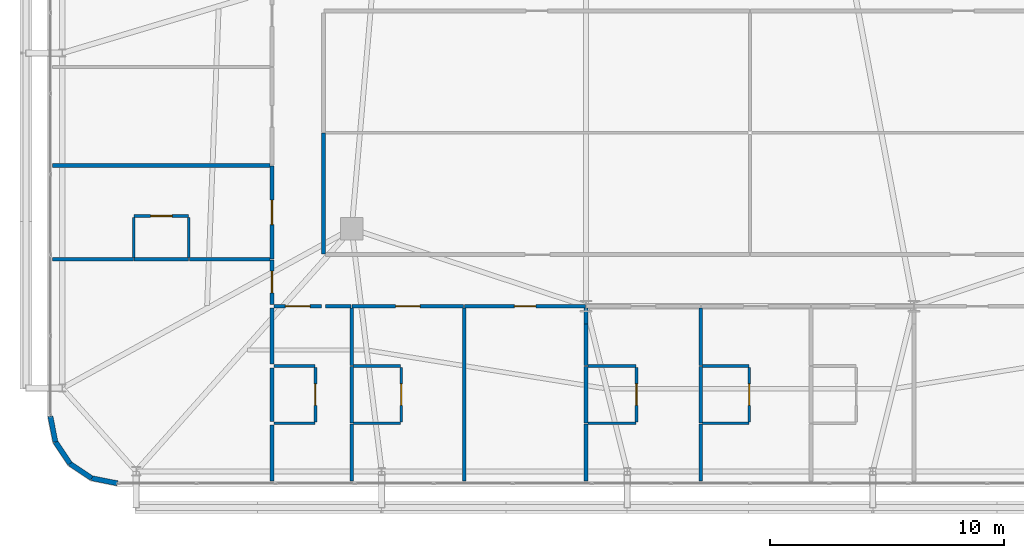
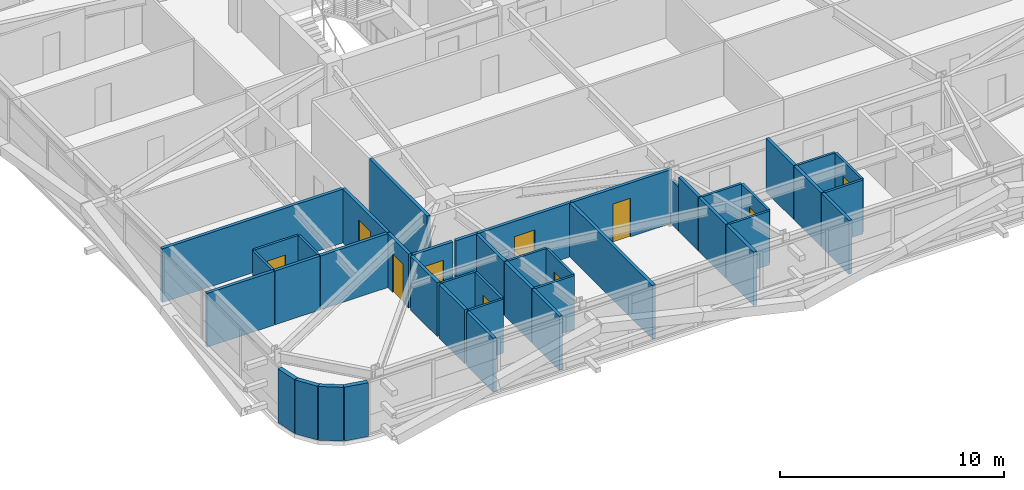
# One storey, part 52 of 59: 44 walls, 10 doors, 10 openings.
"""IFC4 building model written with IfcOpenShell, lengths in metres."""

from ifc_helpers import new_model, si_unit, direction, frame, frame_2d, origin, place, context, subcontext, project, spatial, rectangle, extrude, source, transform, mapped, material, layer, layer_set, type_object, element, fill, save


model = new_model("IFC4")

# Units and contexts
model_context = context("Model", 3, precision=1e-05, world=origin(), true_north=direction((0.0, 1.0)))
body_context = subcontext(model_context, "Body", "Model", "MODEL_VIEW")
ifc_project = project(units=[si_unit("LENGTHUNIT", "METRE"), si_unit("AREAUNIT", "SQUARE_METRE"), si_unit("VOLUMEUNIT", "CUBIC_METRE"), si_unit("PLANEANGLEUNIT", "RADIAN"), si_unit("MASSUNIT", "GRAM", prefix="KILO")], contexts=[model_context])

# Site, building, storey
site_placement = place(None, origin())
site = spatial("IfcSite", under=ifc_project, at=site_placement, CompositionType="ELEMENT")
building_placement = place(site_placement, origin())
building = spatial("IfcBuilding", under=site, at=building_placement, Name="Taldren Reach Tower", CompositionType="ELEMENT")
storey_placement = place(building_placement, frame((0.0, 0.0, 23.10009765625)))
storey = spatial("IfcBuildingStorey", under=building, at=storey_placement, Name="L06", CompositionType="ELEMENT", Elevation=23.10009765625)

# Walls
ifc_material_1 = material(Name="Pale Champagne Anodised Aluminium Cladding", Category="aluminium")
ifc_layer_1 = layer(ifc_material_1, 0.04, Name="Pale Champagne Anodised Aluminium Cladding", Category="aluminium")
ifc_material_2 = material(Name="Mineral Wool Acoustic Insulation", Category="insulation")
ifc_layer_2 = layer(ifc_material_2, 0.06, Name="Mineral Wool Acoustic Insulation", Category="insulation")
ifc_material_3 = material(Name="Steel Gr 350 (C350L0)", Category="steel")
ifc_layer_3 = layer(ifc_material_3, 0.12, Name="Steel Gr 350 (C350L0)", Category="steel")
ifc_layer_set_1 = layer_set([ifc_layer_1, ifc_layer_2, ifc_layer_3], Name="Pale Champagne Aluminium Cladding and Steel Gr 350 Stud Framing")
wall_type_1 = type_object("IfcWallType", Name="EW-CRN-220", PredefinedType="SOLIDWALL", material=ifc_layer_set_1)
shared_shape_1 = source(origin(), body_context, "Body", "SweptSolid", [
    extrude(rectangle(XDim=1.115966796875, YDim=0.219970703125, at=frame_2d((0.55810546875, 0.0))), origin(), (0.0, 0.0, 1.0), 2.929931640625),
])
for number, where, z_axis, x_axis, name in (
    (1, (5.139892578125, 4.5, 0.0), (0.0, 0.0, 1.0), (0.195148375659, -0.98077373103, 0.0), "Rounded-corner pale-metal facade wall L06-SW1"),
    (2, (5.357666015625, 3.405517578125, 0.0), (0.0, 0.0, 1.0), (0.555709556774, -0.83137650226, 0.0), "Rounded-corner pale-metal facade wall L06-SW2"),
    (3, (5.977783203125, 2.477783203125, 0.0), (0.0, 0.0, 1.0), (0.83137650226, -0.555709556774, 0.0), "Rounded-corner pale-metal facade wall L06-SW3"),
    (4, (6.905517578125, 1.857666015625, 0.0), (0.0, 0.0, 1.0), (0.98077373103, -0.195148375659, 0.0), "Rounded-corner pale-metal facade wall L06-SW4"),
):
    element("IfcWall", number, at=place(storey_placement, frame(where, z_axis=z_axis, x_axis=x_axis)), inside=storey, type_object=wall_type_1, Name=name, PredefinedType="SOLIDWALL", context=body_context, shape_type="MappedRepresentation", body=[
        mapped(shared_shape_1, transform((0.0, 0.0, 0.0), scale=1.0)),
    ])

# Wall, opening, door
ifc_material_4 = material(Name="Fire-Rated Acoustic Plasterboard Stud Wall", Category="gypsum")
ifc_layer_4 = layer(ifc_material_4, 0.159912109375)
ifc_layer_set_2 = layer_set([ifc_layer_4], Name="Fire-Rated Acoustic Plasterboard Stud Wall")
wall_type_2 = type_object("IfcWallType", Name="IW-FIRE-160", PredefinedType="PARTITIONING", material=ifc_layer_set_2)
shared_shape_2 = source(origin(), body_context, "Body", "SweptSolid", [
    extrude(rectangle(XDim=2.0400390625, YDim=0.159912109375, at=frame_2d((1.02001953125, 0.0))), origin(), (0.0, 0.0, 1.0), 2.929931640625),
])
wall_1_placement = place(storey_placement, frame((16.719970703125, 9.199951171875, 0.0), z_axis=(0.0, 0.0, 1.0), x_axis=(-1.0, 0.0, 0.0)))
wall_1 = element("IfcWall", 5, at=wall_1_placement, inside=storey, type_object=wall_type_2, Name="Interior Partition Wall W-INT-L06-053", PredefinedType="PARTITIONING", context=body_context, shape_type="MappedRepresentation", body=[
    mapped(shared_shape_2, transform((0.0, 0.0, 0.0), scale=1.0)),
])
shared_shape_3 = source(origin(), body_context, "Body", "SweptSolid", [
    extrude(rectangle(XDim=1.050048828125, YDim=2.10009765625, at=frame_2d((0.52490234375, 1.050048828125))), frame((0.0, 0.08984375, 0.0), z_axis=(0.0, -1.0, 0.0), x_axis=(1.0, 0.0, 0.0)), (0.0, 0.0, 1.0), 0.179931640625),
])
opening_1_placement = place(wall_1_placement, frame((0.4951171875, 0.0, 0.0)))
opening_1 = element("IfcOpeningElement", 6, at=opening_1_placement, cuts=wall_1, Name="Opening DF-105", PredefinedType="OPENING", context=body_context, shape_type="MappedRepresentation", body=[
    mapped(shared_shape_3, transform((0.0, 0.0, 0.0), scale=1.0)),
])
ifc_material_5 = material(Name="Fire-Rated Care and Stair Exit Door")
door_type_1 = type_object("IfcDoorType", Name="ID-FIRE-105", OperationType="NOTDEFINED", PredefinedType="DOOR", material=ifc_material_5)
shared_shape_4 = source(origin(), body_context, "Body", "SweptSolid", [
    extrude(rectangle(XDim=1.050048828125, YDim=2.10009765625, at=frame_2d((0.52490234375, 1.050048828125))), frame((0.0, 0.02490234375, 0.0), z_axis=(0.0, -1.0, 0.0), x_axis=(1.0, 0.0, 0.0)), (0.0, 0.0, 1.0), 0.050048828125),
])
door_1_placement = place(opening_1_placement, origin())
door_1 = element("IfcDoor", 7, at=door_1_placement, inside=storey, type_object=door_type_1, Name="Interior Door DR-L06-011", OperationType="SINGLE_SWING_RIGHT", OverallHeight=2.10009765625, OverallWidth=1.050048828125, PredefinedType="DOOR", context=body_context, shape_type="MappedRepresentation", body=[
    mapped(shared_shape_4, transform((0.0, 0.0, 0.0), scale=1.0)),
])
fill(opening_1, door_1)

# Wall
shared_shape_5 = source(origin(), body_context, "Body", "SweptSolid", [
    extrude(rectangle(XDim=5.15966796875, YDim=0.159912109375, at=frame_2d((2.579833984375, 0.0))), origin(), (0.0, 0.0, 1.0), 2.929931640625),
])
wall_2_placement = place(storey_placement, frame((16.800048828125, 16.579833984375, 0.0), z_axis=(0.0, 0.0, 1.0), x_axis=(0.0, -1.0, 0.0)))
element("IfcWall", 8, at=wall_2_placement, inside=storey, type_object=wall_type_2, Name="Interior Partition Wall W-INT-L06-047", PredefinedType="PARTITIONING", context=body_context, shape_type="MappedRepresentation", body=[
    mapped(shared_shape_5, transform((0.0, 0.0, 0.0), scale=1.0)),
])

# Wall, opening, door
shared_shape_6 = source(origin(), body_context, "Body", "SweptSolid", [
    extrude(rectangle(XDim=1.899658203125, YDim=0.159912109375, at=frame_2d((0.94970703125, 0.0))), origin(), (0.0, 0.0, 1.0), 2.929931640625),
])
wall_3_placement = place(storey_placement, frame((14.60009765625, 9.280029296875, 0.0), z_axis=(0.0, 0.0, 1.0), x_axis=(0.0, 1.0, 0.0)))
wall_3 = element("IfcWall", 9, at=wall_3_placement, inside=storey, type_object=wall_type_2, Name="Interior Partition Wall W-INT-L06-055", PredefinedType="PARTITIONING", context=body_context, shape_type="MappedRepresentation", body=[
    mapped(shared_shape_6, transform((0.0, 0.0, 0.0), scale=1.0)),
])
shared_shape_7 = source(origin(), body_context, "Body", "SweptSolid", [
    extrude(rectangle(XDim=0.919921875, YDim=2.10009765625, at=frame_2d((0.4599609375, 1.050048828125))), frame((0.0, 0.08984375, 0.0), z_axis=(0.0, -1.0, 0.0), x_axis=(1.0, 0.0, 0.0)), (0.0, 0.0, 1.0), 0.179931640625),
])
opening_2_placement = place(wall_3_placement, frame((0.489990234375, 0.0, 0.0)))
opening_2 = element("IfcOpeningElement", 10, at=opening_2_placement, cuts=wall_3, Name="Opening DI-092", PredefinedType="OPENING", context=body_context, shape_type="MappedRepresentation", body=[
    mapped(shared_shape_7, transform((0.0, 0.0, 0.0), scale=1.0)),
])
ifc_material_6 = material(Name="Solid-Core Timber Suite Door", Category="wood")
door_type_2 = type_object("IfcDoorType", Name="ID-INT-092", OperationType="NOTDEFINED", PredefinedType="DOOR", material=ifc_material_6)
shared_shape_8 = source(origin(), body_context, "Body", "SweptSolid", [
    extrude(rectangle(XDim=0.919921875, YDim=2.10009765625, at=frame_2d((0.4599609375, 1.050048828125))), frame((0.0, 0.02490234375, 0.0), z_axis=(0.0, -1.0, 0.0), x_axis=(1.0, 0.0, 0.0)), (0.0, 0.0, 1.0), 0.050048828125),
])
door_2_placement = place(opening_2_placement, origin())
door_2 = element("IfcDoor", 11, at=door_2_placement, inside=storey, type_object=door_type_2, Name="Interior Door DR-L06-013", OperationType="SINGLE_SWING_RIGHT", OverallHeight=2.10009765625, OverallWidth=0.919921875, PredefinedType="DOOR", context=body_context, shape_type="MappedRepresentation", body=[
    mapped(shared_shape_8, transform((0.0, 0.0, 0.0), scale=1.0)),
])
fill(opening_2, door_2)

shared_shape_9 = source(origin(), body_context, "Body", "SweptSolid", [
    extrude(rectangle(XDim=3.95947265625, YDim=0.159912109375, at=frame_2d((1.979736328125, 0.0))), origin(), (0.0, 0.0, 1.0), 2.929931640625),
])
wall_4_placement = place(storey_placement, frame((14.60009765625, 11.22021484375, 0.0), z_axis=(0.0, 0.0, 1.0), x_axis=(0.0, 1.0, 0.0)))
wall_4 = element("IfcWall", 12, at=wall_4_placement, inside=storey, type_object=wall_type_2, Name="Interior Partition Wall W-INT-L06-056", PredefinedType="PARTITIONING", context=body_context, shape_type="MappedRepresentation", body=[
    mapped(shared_shape_9, transform((0.0, 0.0, 0.0), scale=1.0)),
])
opening_3_placement = place(wall_4_placement, frame((1.45458984375, 0.0, 0.0)))
opening_3 = element("IfcOpeningElement", 13, at=opening_3_placement, cuts=wall_4, Name="Opening DF-105", PredefinedType="OPENING", context=body_context, shape_type="MappedRepresentation", body=[
    mapped(shared_shape_3, transform((0.0, 0.0, 0.0), scale=1.0)),
])
door_3_placement = place(opening_3_placement, origin())
door_3 = element("IfcDoor", 14, at=door_3_placement, inside=storey, type_object=door_type_1, Name="Interior Door DR-L06-014", OperationType="SINGLE_SWING_LEFT", OverallHeight=2.10009765625, OverallWidth=1.050048828125, PredefinedType="DOOR", context=body_context, shape_type="MappedRepresentation", body=[
    mapped(shared_shape_4, transform((0.0, 0.0, 0.0), scale=1.0)),
])
fill(opening_3, door_3)

# Wall
shared_shape_10 = source(origin(), body_context, "Body", "SweptSolid", [
    extrude(rectangle(XDim=1.099853515625, YDim=0.159912109375, at=frame_2d((0.5498046875, 0.0))), origin(), (0.0, 0.0, 1.0), 2.929931640625),
])
wall_5_placement = place(storey_placement, frame((17.979736328125, 9.199951171875, 0.0), z_axis=(0.0, 0.0, 1.0), x_axis=(-1.0, 0.0, 0.0)))
element("IfcWall", 15, at=wall_5_placement, inside=storey, type_object=wall_type_2, Name="Interior Partition Wall W-INT-L06-067", PredefinedType="PARTITIONING", context=body_context, shape_type="MappedRepresentation", body=[
    mapped(shared_shape_10, transform((0.0, 0.0, 0.0), scale=1.0)),
])

# Wall, opening, door
shared_shape_11 = source(origin(), body_context, "Body", "SweptSolid", [
    extrude(rectangle(XDim=4.759521484375, YDim=0.159912109375, at=frame_2d((2.3798828125, 0.0))), origin(), (0.0, 0.0, 1.0), 2.929931640625),
])
wall_6_placement = place(storey_placement, frame((22.77978515625, 9.199951171875, 0.0), z_axis=(0.0, 0.0, 1.0), x_axis=(-1.0, 0.0, 0.0)))
wall_6 = element("IfcWall", 16, at=wall_6_placement, inside=storey, type_object=wall_type_2, Name="Interior Partition Wall W-INT-L06-068", PredefinedType="PARTITIONING", context=body_context, shape_type="MappedRepresentation", body=[
    mapped(shared_shape_11, transform((0.0, 0.0, 0.0), scale=1.0)),
])
opening_4_placement = place(wall_6_placement, frame((1.854736328125, 0.0, 0.0)))
opening_4 = element("IfcOpeningElement", 17, at=opening_4_placement, cuts=wall_6, Name="Opening DF-105", PredefinedType="OPENING", context=body_context, shape_type="MappedRepresentation", body=[
    mapped(shared_shape_3, transform((0.0, 0.0, 0.0), scale=1.0)),
])
door_4_placement = place(opening_4_placement, origin())
door_4 = element("IfcDoor", 18, at=door_4_placement, inside=storey, type_object=door_type_1, Name="Interior Door DR-L06-024", OperationType="SINGLE_SWING_LEFT", OverallHeight=2.10009765625, OverallWidth=1.050048828125, PredefinedType="DOOR", context=body_context, shape_type="MappedRepresentation", body=[
    mapped(shared_shape_4, transform((0.0, 0.0, 0.0), scale=1.0)),
])
fill(opening_4, door_4)

shared_shape_12 = source(origin(), body_context, "Body", "SweptSolid", [
    extrude(rectangle(XDim=5.159423828125, YDim=0.159912109375, at=frame_2d((2.57958984375, 0.0))), origin(), (0.0, 0.0, 1.0), 2.929931640625),
])
wall_7_placement = place(storey_placement, frame((27.979736328125, 9.199951171875, 0.0), z_axis=(0.0, 0.0, 1.0), x_axis=(-1.0, 0.0, 0.0)))
wall_7 = element("IfcWall", 19, at=wall_7_placement, inside=storey, type_object=wall_type_2, Name="Interior Partition Wall W-INT-L06-069", PredefinedType="PARTITIONING", context=body_context, shape_type="MappedRepresentation", body=[
    mapped(shared_shape_12, transform((0.0, 0.0, 0.0), scale=1.0)),
])
opening_5_placement = place(wall_7_placement, frame((2.119873046875, 0.0, 0.0)))
opening_5 = element("IfcOpeningElement", 20, at=opening_5_placement, cuts=wall_7, Name="Opening DI-092", PredefinedType="OPENING", context=body_context, shape_type="MappedRepresentation", body=[
    mapped(shared_shape_7, transform((0.0, 0.0, 0.0), scale=1.0)),
])
door_5_placement = place(opening_5_placement, origin())
door_5 = element("IfcDoor", 21, at=door_5_placement, inside=storey, type_object=door_type_2, Name="Interior Door DR-L06-025", OperationType="SINGLE_SWING_RIGHT", OverallHeight=2.10009765625, OverallWidth=0.919921875, PredefinedType="DOOR", context=body_context, shape_type="MappedRepresentation", body=[
    mapped(shared_shape_8, transform((0.0, 0.0, 0.0), scale=1.0)),
])
fill(opening_5, door_5)

ifc_material_7 = material(Name="Insulated Residential Stud Partition", Category="gypsum")
ifc_layer_5 = layer(ifc_material_7, 0.1201171875)
ifc_layer_set_3 = layer_set([ifc_layer_5], Name="Insulated Residential Stud Partition")
wall_type_3 = type_object("IfcWallType", Name="IW-PART-120", PredefinedType="PARTITIONING", material=ifc_layer_set_3)
shared_shape_13 = source(origin(), body_context, "Body", "SweptSolid", [
    extrude(rectangle(XDim=2.330078125, YDim=0.1201171875, at=frame_2d((1.1650390625, 0.0))), origin(), (0.0, 0.0, 1.0), 2.929931640625),
])
wall_8_placement = place(storey_placement, frame((16.449951171875, 4.260009765625, 0.0), z_axis=(0.0, 0.0, 1.0), x_axis=(0.0, 1.0, 0.0)))
wall_8 = element("IfcWall", 22, at=wall_8_placement, inside=storey, type_object=wall_type_3, Name="Interior Partition Wall W-INT-L06-080", PredefinedType="PARTITIONING", context=body_context, shape_type="MappedRepresentation", body=[
    mapped(shared_shape_13, transform((0.0, 0.0, 0.0), scale=1.0)),
])
shared_shape_14 = source(origin(), body_context, "Body", "SweptSolid", [
    extrude(rectangle(XDim=0.919921875, YDim=2.10009765625, at=frame_2d((0.4599609375, 1.050048828125))), frame((0.0, 0.070068359375, 0.0), z_axis=(0.0, -1.0, 0.0), x_axis=(1.0, 0.0, 0.0)), (0.0, 0.0, 1.0), 0.14013671875),
])
opening_6_placement = place(wall_8_placement, frame((0.705078125, 0.0, 0.0)))
opening_6 = element("IfcOpeningElement", 23, at=opening_6_placement, cuts=wall_8, Name="Opening DI-092", PredefinedType="OPENING", context=body_context, shape_type="MappedRepresentation", body=[
    mapped(shared_shape_14, transform((0.0, 0.0, 0.0), scale=1.0)),
])
door_6_placement = place(opening_6_placement, origin())
door_6 = element("IfcDoor", 24, at=door_6_placement, inside=storey, type_object=door_type_2, Name="Interior Door DR-L06-031", OperationType="SINGLE_SWING_RIGHT", OverallHeight=2.10009765625, OverallWidth=0.919921875, PredefinedType="DOOR", context=body_context, shape_type="MappedRepresentation", body=[
    mapped(shared_shape_8, transform((0.0, 0.0, 0.0), scale=1.0)),
])
fill(opening_6, door_6)

wall_9_placement = place(storey_placement, frame((20.112060546875, 4.260009765625, 0.0), z_axis=(0.0, 0.0, 1.0), x_axis=(0.0, 1.0, 0.0)))
wall_9 = element("IfcWall", 25, at=wall_9_placement, inside=storey, type_object=wall_type_3, Name="Interior Partition Wall W-INT-L06-089", PredefinedType="PARTITIONING", context=body_context, shape_type="MappedRepresentation", body=[
    mapped(shared_shape_13, transform((0.0, 0.0, 0.0), scale=1.0)),
])
opening_7_placement = place(wall_9_placement, frame((0.705078125, 0.0, 0.0)))
opening_7 = element("IfcOpeningElement", 26, at=opening_7_placement, cuts=wall_9, Name="Opening DI-092", PredefinedType="OPENING", context=body_context, shape_type="MappedRepresentation", body=[
    mapped(shared_shape_14, transform((0.0, 0.0, 0.0), scale=1.0)),
])
door_7_placement = place(opening_7_placement, origin())
door_7 = element("IfcDoor", 27, at=door_7_placement, inside=storey, type_object=door_type_2, Name="Interior Door DR-L06-032", OperationType="SINGLE_SWING_LEFT", OverallHeight=2.10009765625, OverallWidth=0.919921875, PredefinedType="DOOR", context=body_context, shape_type="MappedRepresentation", body=[
    mapped(shared_shape_8, transform((0.0, 0.0, 0.0), scale=1.0)),
])
fill(opening_7, door_7)

wall_10_placement = place(storey_placement, frame((30.156005859375, 4.260009765625, 0.0), z_axis=(0.0, 0.0, 1.0), x_axis=(0.0, 1.0, 0.0)))
wall_10 = element("IfcWall", 28, at=wall_10_placement, inside=storey, type_object=wall_type_3, Name="Interior Partition Wall W-INT-L06-096", PredefinedType="PARTITIONING", context=body_context, shape_type="MappedRepresentation", body=[
    mapped(shared_shape_13, transform((0.0, 0.0, 0.0), scale=1.0)),
])
opening_8_placement = place(wall_10_placement, frame((0.705078125, 0.0, 0.0)))
opening_8 = element("IfcOpeningElement", 29, at=opening_8_placement, cuts=wall_10, Name="Opening DI-092", PredefinedType="OPENING", context=body_context, shape_type="MappedRepresentation", body=[
    mapped(shared_shape_14, transform((0.0, 0.0, 0.0), scale=1.0)),
])
door_8_placement = place(opening_8_placement, origin())
door_8 = element("IfcDoor", 30, at=door_8_placement, inside=storey, type_object=door_type_2, Name="Interior Door DR-L06-033", OperationType="SINGLE_SWING_RIGHT", OverallHeight=2.10009765625, OverallWidth=0.919921875, PredefinedType="DOOR", context=body_context, shape_type="MappedRepresentation", body=[
    mapped(shared_shape_8, transform((0.0, 0.0, 0.0), scale=1.0)),
])
fill(opening_8, door_8)

wall_11_placement = place(storey_placement, frame((34.968017578125, 4.260009765625, 0.0), z_axis=(0.0, 0.0, 1.0), x_axis=(0.0, 1.0, 0.0)))
wall_11 = element("IfcWall", 31, at=wall_11_placement, inside=storey, type_object=wall_type_3, Name="Interior Partition Wall W-INT-L06-102", PredefinedType="PARTITIONING", context=body_context, shape_type="MappedRepresentation", body=[
    mapped(shared_shape_13, transform((0.0, 0.0, 0.0), scale=1.0)),
])
opening_9_placement = place(wall_11_placement, frame((0.705078125, 0.0, 0.0)))
opening_9 = element("IfcOpeningElement", 32, at=opening_9_placement, cuts=wall_11, Name="Opening DI-092", PredefinedType="OPENING", context=body_context, shape_type="MappedRepresentation", body=[
    mapped(shared_shape_14, transform((0.0, 0.0, 0.0), scale=1.0)),
])
door_9_placement = place(opening_9_placement, origin())
door_9 = element("IfcDoor", 33, at=door_9_placement, inside=storey, type_object=door_type_2, Name="Interior Door DR-L06-034", OperationType="SINGLE_SWING_LEFT", OverallHeight=2.10009765625, OverallWidth=0.919921875, PredefinedType="DOOR", context=body_context, shape_type="MappedRepresentation", body=[
    mapped(shared_shape_8, transform((0.0, 0.0, 0.0), scale=1.0)),
])
fill(opening_9, door_9)

# Walls
shared_shape_15 = source(origin(), body_context, "Body", "SweptSolid", [
    extrude(rectangle(XDim=1.749755859375, YDim=0.1201171875, at=frame_2d((0.875, 0.0))), origin(), (0.0, 0.0, 1.0), 2.929931640625),
])
for number, where, z_axis, x_axis, name in (
    (34, (14.679931640625, 4.199951171875, 0.0), (0.0, 0.0, 1.0), (1.0, 0.0, 0.0), "Interior Partition Wall W-INT-L06-081"),
    (35, (16.4296875, 6.64990234375, 0.0), (0.0, 0.0, 1.0), (-1.0, 0.0, 0.0), "Interior Partition Wall W-INT-L06-082"),
):
    element("IfcWall", number, at=place(storey_placement, frame(where, z_axis=z_axis, x_axis=x_axis)), inside=storey, type_object=wall_type_3, Name=name, PredefinedType="PARTITIONING", context=body_context, shape_type="MappedRepresentation", body=[
        mapped(shared_shape_15, transform((0.0, 0.0, 0.0), scale=1.0)),
    ])
shared_shape_16 = source(origin(), body_context, "Body", "SweptSolid", [
    extrude(rectangle(XDim=2.44775390625, YDim=0.159912109375, at=frame_2d((1.223876953125, 0.0))), origin(), (0.0, 0.0, 1.0), 2.929931640625),
])
for number, where, z_axis, x_axis, name in (
    (36, (18.0, 4.1796875, 0.0), (0.0, 0.0, 1.0), (0.0, -1.0, 0.0), "Interior Partition Wall W-INT-L06-083"),
    (37, (18.0, 9.117919921875, 0.0), (0.0, 0.0, 1.0), (0.0, -1.0, 0.0), "Interior Partition Wall W-INT-L06-084"),
    (38, (32.89990234375, 4.1796875, 0.0), (0.0, 0.0, 1.0), (0.0, -1.0, 0.0), "Interior Partition Wall W-INT-L06-099"),
    (39, (32.89990234375, 9.117919921875, 0.0), (0.0, 0.0, 1.0), (0.0, -1.0, 0.0), "Interior Partition Wall W-INT-L06-100"),
):
    element("IfcWall", number, at=place(storey_placement, frame(where, z_axis=z_axis, x_axis=x_axis)), inside=storey, type_object=wall_type_2, Name=name, PredefinedType="PARTITIONING", context=body_context, shape_type="MappedRepresentation", body=[
        mapped(shared_shape_16, transform((0.0, 0.0, 0.0), scale=1.0)),
    ])
shared_shape_17 = source(origin(), body_context, "Body", "SweptSolid", [
    extrude(rectangle(XDim=2.40966796875, YDim=0.159912109375, at=frame_2d((1.204833984375, 0.0))), origin(), (0.0, 0.0, 1.0), 2.929931640625),
])
for number, where, z_axis, x_axis, name in (
    (40, (18.0, 6.6298828125, 0.0), (0.0, 0.0, 1.0), (0.0, -1.0, 0.0), "Interior Partition Wall W-INT-L06-085"),
    (41, (28.0, 6.6298828125, 0.0), (0.0, 0.0, 1.0), (0.0, -1.0, 0.0), "Interior Partition Wall W-INT-L06-095"),
    (42, (32.89990234375, 6.6298828125, 0.0), (0.0, 0.0, 1.0), (0.0, -1.0, 0.0), "Interior Partition Wall W-INT-L06-101"),
):
    element("IfcWall", number, at=place(storey_placement, frame(where, z_axis=z_axis, x_axis=x_axis)), inside=storey, type_object=wall_type_2, Name=name, PredefinedType="PARTITIONING", context=body_context, shape_type="MappedRepresentation", body=[
        mapped(shared_shape_17, transform((0.0, 0.0, 0.0), scale=1.0)),
    ])
shared_shape_18 = source(origin(), body_context, "Body", "SweptSolid", [
    extrude(rectangle(XDim=2.38818359375, YDim=0.159912109375, at=frame_2d((1.194091796875, 0.0))), origin(), (0.0, 0.0, 1.0), 2.929931640625),
])
wall_12_placement = place(storey_placement, frame((14.60009765625, 1.73193359375, 0.0), z_axis=(0.0, 0.0, 1.0), x_axis=(0.0, 1.0, 0.0)))
element("IfcWall", 43, at=wall_12_placement, inside=storey, type_object=wall_type_2, Name="Interior Partition Wall W-INT-L06-086", PredefinedType="PARTITIONING", context=body_context, shape_type="MappedRepresentation", body=[
    mapped(shared_shape_18, transform((0.0, 0.0, 0.0), scale=1.0)),
])
shared_shape_19 = source(origin(), body_context, "Body", "SweptSolid", [
    extrude(rectangle(XDim=2.387939453125, YDim=0.159912109375, at=frame_2d((1.19384765625, 0.0))), origin(), (0.0, 0.0, 1.0), 2.929931640625),
])
wall_13_placement = place(storey_placement, frame((14.60009765625, 6.72998046875, 0.0), z_axis=(0.0, 0.0, 1.0), x_axis=(0.0, 1.0, 0.0)))
element("IfcWall", 44, at=wall_13_placement, inside=storey, type_object=wall_type_2, Name="Interior Partition Wall W-INT-L06-087", PredefinedType="PARTITIONING", context=body_context, shape_type="MappedRepresentation", body=[
    mapped(shared_shape_19, transform((0.0, 0.0, 0.0), scale=1.0)),
])
shared_shape_20 = source(origin(), body_context, "Body", "SweptSolid", [
    extrude(rectangle(XDim=2.2900390625, YDim=0.159912109375, at=frame_2d((1.14501953125, 0.0))), origin(), (0.0, 0.0, 1.0), 2.929931640625),
])
wall_14_placement = place(storey_placement, frame((14.60009765625, 4.280029296875, 0.0), z_axis=(0.0, 0.0, 1.0), x_axis=(0.0, 1.0, 0.0)))
element("IfcWall", 45, at=wall_14_placement, inside=storey, type_object=wall_type_2, Name="Interior Partition Wall W-INT-L06-088", PredefinedType="PARTITIONING", context=body_context, shape_type="MappedRepresentation", body=[
    mapped(shared_shape_20, transform((0.0, 0.0, 0.0), scale=1.0)),
])
shared_shape_21 = source(origin(), body_context, "Body", "SweptSolid", [
    extrude(rectangle(XDim=2.01171875, YDim=0.1201171875, at=frame_2d((1.005859375, 0.0))), origin(), (0.0, 0.0, 1.0), 2.929931640625),
])
for number, where, z_axis, x_axis, name in (
    (46, (18.080078125, 4.199951171875, 0.0), (0.0, 0.0, 1.0), (1.0, 0.0, 0.0), "Interior Partition Wall W-INT-L06-090"),
    (47, (20.091796875, 6.64990234375, 0.0), (0.0, 0.0, 1.0), (-1.0, 0.0, 0.0), "Interior Partition Wall W-INT-L06-091"),
):
    element("IfcWall", number, at=place(storey_placement, frame(where, z_axis=z_axis, x_axis=x_axis)), inside=storey, type_object=wall_type_3, Name=name, PredefinedType="PARTITIONING", context=body_context, shape_type="MappedRepresentation", body=[
        mapped(shared_shape_21, transform((0.0, 0.0, 0.0), scale=1.0)),
    ])
shared_shape_22 = source(origin(), body_context, "Body", "SweptSolid", [
    extrude(rectangle(XDim=7.385986328125, YDim=0.159912109375, at=frame_2d((3.69287109375, 0.0))), origin(), (0.0, 0.0, 1.0), 2.929931640625),
])
wall_15_placement = place(storey_placement, frame((22.800048828125, 9.117919921875, 0.0), z_axis=(0.0, 0.0, 1.0), x_axis=(0.0, -1.0, 0.0)))
element("IfcWall", 48, at=wall_15_placement, inside=storey, type_object=wall_type_2, Name="Interior Partition Wall W-INT-L06-092", PredefinedType="PARTITIONING", context=body_context, shape_type="MappedRepresentation", body=[
    mapped(shared_shape_22, transform((0.0, 0.0, 0.0), scale=1.0)),
])
shared_shape_23 = source(origin(), body_context, "Body", "SweptSolid", [
    extrude(rectangle(XDim=2.44970703125, YDim=0.159912109375, at=frame_2d((1.224853515625, 0.0))), origin(), (0.0, 0.0, 1.0), 2.929931640625),
])
wall_16_placement = place(storey_placement, frame((28.0, 4.1796875, 0.0), z_axis=(0.0, 0.0, 1.0), x_axis=(0.0, -1.0, 0.0)))
element("IfcWall", 49, at=wall_16_placement, inside=storey, type_object=wall_type_2, Name="Interior Partition Wall W-INT-L06-093", PredefinedType="PARTITIONING", context=body_context, shape_type="MappedRepresentation", body=[
    mapped(shared_shape_23, transform((0.0, 0.0, 0.0), scale=1.0)),
])
shared_shape_24 = source(origin(), body_context, "Body", "SweptSolid", [
    extrude(rectangle(XDim=0.672119140625, YDim=0.159912109375, at=frame_2d((0.3359375, 0.0))), origin(), (0.0, 0.0, 1.0), 2.39697265625),
])
wall_17_placement = place(storey_placement, frame((28.0, 9.1201171875, 0.0), z_axis=(0.0, 0.0, 1.0), x_axis=(0.0, -1.0, 0.0)))
element("IfcWall", 50, at=wall_17_placement, inside=storey, type_object=wall_type_2, Name="Interior Partition Wall W-INT-L06-094", PredefinedType="PARTITIONING", context=body_context, shape_type="MappedRepresentation", body=[
    mapped(shared_shape_24, transform((0.0, 0.0, 0.0), scale=1.0)),
])
shared_shape_25 = source(origin(), body_context, "Body", "SweptSolid", [
    extrude(rectangle(XDim=1.77783203125, YDim=0.159912109375, at=frame_2d((0.888916015625, 0.0))), origin(), (0.0, 0.0, 1.0), 2.929931640625),
])
wall_18_placement = place(storey_placement, frame((28.0, 8.447998046875, 0.0), z_axis=(0.0, 0.0, 1.0), x_axis=(0.0, -1.0, 0.0)))
element("IfcWall", 51, at=wall_18_placement, inside=storey, type_object=wall_type_2, Name="Interior Partition Wall W-INT-L06-094 part 2", PredefinedType="PARTITIONING", context=body_context, shape_type="MappedRepresentation", body=[
    mapped(shared_shape_25, transform((0.0, 0.0, 0.0), scale=1.0)),
])
shared_shape_26 = source(origin(), body_context, "Body", "SweptSolid", [
    extrude(rectangle(XDim=2.0556640625, YDim=0.1201171875, at=frame_2d((1.02783203125, 0.0))), origin(), (0.0, 0.0, 1.0), 2.929931640625),
])
for number, where, z_axis, x_axis, name in (
    (52, (28.080078125, 4.199951171875, 0.0), (0.0, 0.0, 1.0), (1.0, 0.0, 0.0), "Interior Partition Wall W-INT-L06-097"),
    (53, (30.1357421875, 6.64990234375, 0.0), (0.0, 0.0, 1.0), (-1.0, 0.0, 0.0), "Interior Partition Wall W-INT-L06-098"),
):
    element("IfcWall", number, at=place(storey_placement, frame(where, z_axis=z_axis, x_axis=x_axis)), inside=storey, type_object=wall_type_3, Name=name, PredefinedType="PARTITIONING", context=body_context, shape_type="MappedRepresentation", body=[
        mapped(shared_shape_26, transform((0.0, 0.0, 0.0), scale=1.0)),
    ])
shared_shape_27 = source(origin(), body_context, "Body", "SweptSolid", [
    extrude(rectangle(XDim=1.9677734375, YDim=0.1201171875, at=frame_2d((0.98388671875, 0.0))), origin(), (0.0, 0.0, 1.0), 2.929931640625),
])
for number, where, z_axis, x_axis, name in (
    (54, (32.97998046875, 4.199951171875, 0.0), (0.0, 0.0, 1.0), (1.0, 0.0, 0.0), "Interior Partition Wall W-INT-L06-103"),
    (55, (34.94775390625, 6.64990234375, 0.0), (0.0, 0.0, 1.0), (-1.0, 0.0, 0.0), "Interior Partition Wall W-INT-L06-104"),
):
    element("IfcWall", number, at=place(storey_placement, frame(where, z_axis=z_axis, x_axis=x_axis)), inside=storey, type_object=wall_type_3, Name=name, PredefinedType="PARTITIONING", context=body_context, shape_type="MappedRepresentation", body=[
        mapped(shared_shape_27, transform((0.0, 0.0, 0.0), scale=1.0)),
    ])
shared_shape_28 = source(origin(), body_context, "Body", "SweptSolid", [
    extrude(rectangle(XDim=3.44970703125, YDim=0.159912109375, at=frame_2d((1.724853515625, 0.0))), origin(), (0.0, 0.0, 1.0), 2.929931640625),
])
for number, where, z_axis, x_axis, name in (
    (56, (5.22998046875, 11.199951171875, 0.0), (0.0, 0.0, 1.0), (1.0, 0.0, 0.0), "Interior Partition Wall W-INT-L06-125"),
    (57, (11.0703125, 11.199951171875, 0.0), (0.0, 0.0, 1.0), (1.0, 0.0, 0.0), "Interior Partition Wall W-INT-L06-126"),
):
    element("IfcWall", number, at=place(storey_placement, frame(where, z_axis=z_axis, x_axis=x_axis)), inside=storey, type_object=wall_type_2, Name=name, PredefinedType="PARTITIONING", context=body_context, shape_type="MappedRepresentation", body=[
        mapped(shared_shape_28, transform((0.0, 0.0, 0.0), scale=1.0)),
    ])
shared_shape_29 = source(origin(), body_context, "Body", "SweptSolid", [
    extrude(rectangle(XDim=2.3095703125, YDim=0.159912109375, at=frame_2d((1.15478515625, 0.0))), origin(), (0.0, 0.0, 1.0), 2.929931640625),
])
wall_19_placement = place(storey_placement, frame((8.72021484375, 11.199951171875, 0.0), z_axis=(0.0, 0.0, 1.0), x_axis=(1.0, 0.0, 0.0)))
element("IfcWall", 58, at=wall_19_placement, inside=storey, type_object=wall_type_2, Name="Interior Partition Wall W-INT-L06-127", PredefinedType="PARTITIONING", context=body_context, shape_type="MappedRepresentation", body=[
    mapped(shared_shape_29, transform((0.0, 0.0, 0.0), scale=1.0)),
])

# Wall, opening, door
shared_shape_30 = source(origin(), body_context, "Body", "SweptSolid", [
    extrude(rectangle(XDim=2.3095703125, YDim=0.1201171875, at=frame_2d((1.15478515625, 0.0))), origin(), (0.0, 0.0, 1.0), 2.929931640625),
])
wall_20_placement = place(storey_placement, frame((11.02978515625, 13.050048828125, 0.0), z_axis=(0.0, 0.0, 1.0), x_axis=(-1.0, 0.0, 0.0)))
wall_20 = element("IfcWall", 59, at=wall_20_placement, inside=storey, type_object=wall_type_3, Name="Interior Partition Wall W-INT-L06-128", PredefinedType="PARTITIONING", context=body_context, shape_type="MappedRepresentation", body=[
    mapped(shared_shape_30, transform((0.0, 0.0, 0.0), scale=1.0)),
])
opening_10_placement = place(wall_20_placement, frame((0.69482421875, 0.0, 0.0)))
opening_10 = element("IfcOpeningElement", 60, at=opening_10_placement, cuts=wall_20, Name="Opening DI-092", PredefinedType="OPENING", context=body_context, shape_type="MappedRepresentation", body=[
    mapped(shared_shape_14, transform((0.0, 0.0, 0.0), scale=1.0)),
])
door_10_placement = place(opening_10_placement, origin())
door_10 = element("IfcDoor", 61, at=door_10_placement, inside=storey, type_object=door_type_2, Name="Interior Door DR-L06-038", OperationType="SINGLE_SWING_LEFT", OverallHeight=2.10009765625, OverallWidth=0.919921875, PredefinedType="DOOR", context=body_context, shape_type="MappedRepresentation", body=[
    mapped(shared_shape_8, transform((0.0, 0.0, 0.0), scale=1.0)),
])
fill(opening_10, door_10)

# Walls
shared_shape_31 = source(origin(), body_context, "Body", "SweptSolid", [
    extrude(rectangle(XDim=1.7099609375, YDim=0.1201171875, at=frame_2d((0.85498046875, 0.0))), origin(), (0.0, 0.0, 1.0), 2.929931640625),
])
for number, where, z_axis, x_axis, name in (
    (62, (8.699951171875, 12.989990234375, 0.0), (0.0, 0.0, 1.0), (0.0, -1.0, 0.0), "Interior Partition Wall W-INT-L06-129"),
    (63, (11.050048828125, 11.280029296875, 0.0), (0.0, 0.0, 1.0), (0.0, 1.0, 0.0), "Interior Partition Wall W-INT-L06-130"),
):
    element("IfcWall", number, at=place(storey_placement, frame(where, z_axis=z_axis, x_axis=x_axis)), inside=storey, type_object=wall_type_3, Name=name, PredefinedType="PARTITIONING", context=body_context, shape_type="MappedRepresentation", body=[
        mapped(shared_shape_31, transform((0.0, 0.0, 0.0), scale=1.0)),
    ])
shared_shape_32 = source(origin(), body_context, "Body", "SweptSolid", [
    extrude(rectangle(XDim=9.2861328125, YDim=0.159912109375, at=frame_2d((4.64306640625, 0.0))), origin(), (0.0, 0.0, 1.0), 2.929931640625),
])
wall_21_placement = place(storey_placement, frame((5.23193359375, 15.199951171875, 0.0), z_axis=(0.0, 0.0, 1.0), x_axis=(1.0, 0.0, 0.0)))
element("IfcWall", 64, at=wall_21_placement, inside=storey, type_object=wall_type_2, Name="Interior Partition Wall W-INT-L06-131", PredefinedType="PARTITIONING", context=body_context, shape_type="MappedRepresentation", body=[
    mapped(shared_shape_32, transform((0.0, 0.0, 0.0), scale=1.0)),
])

save(model, "model.ifc")
